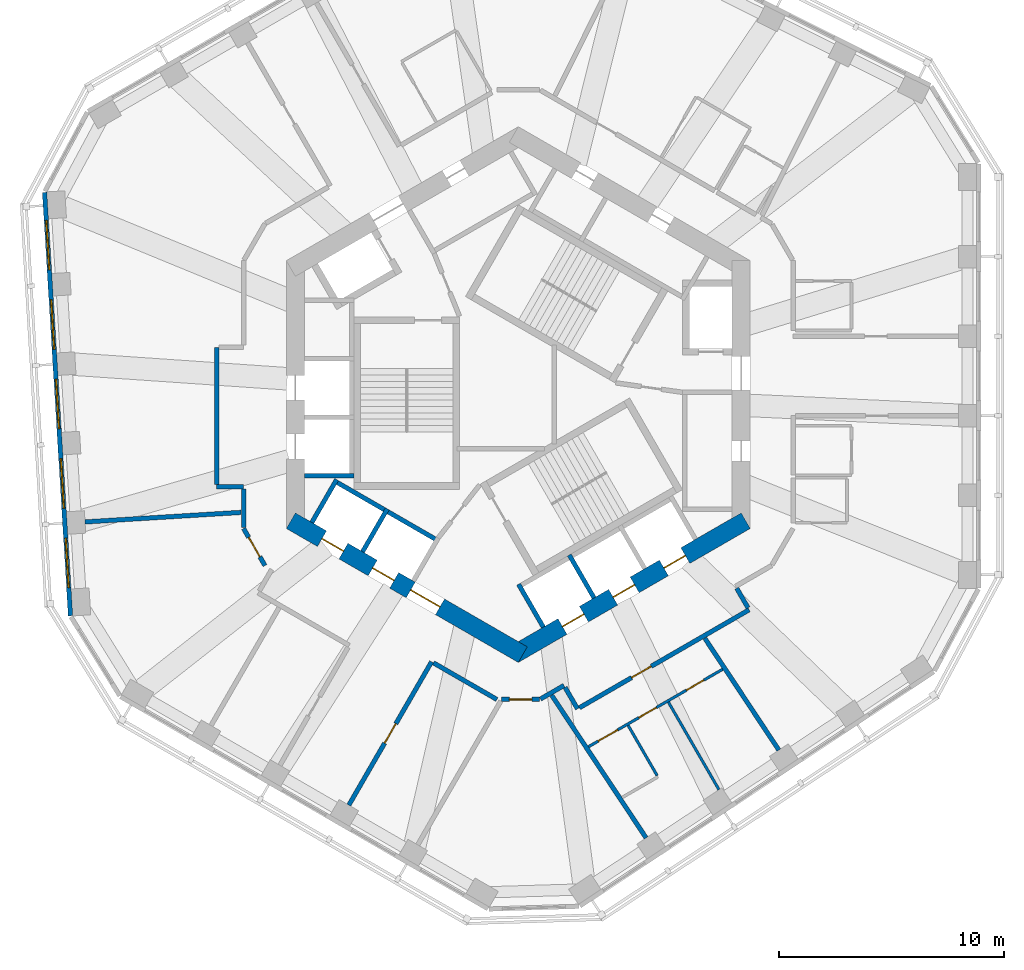
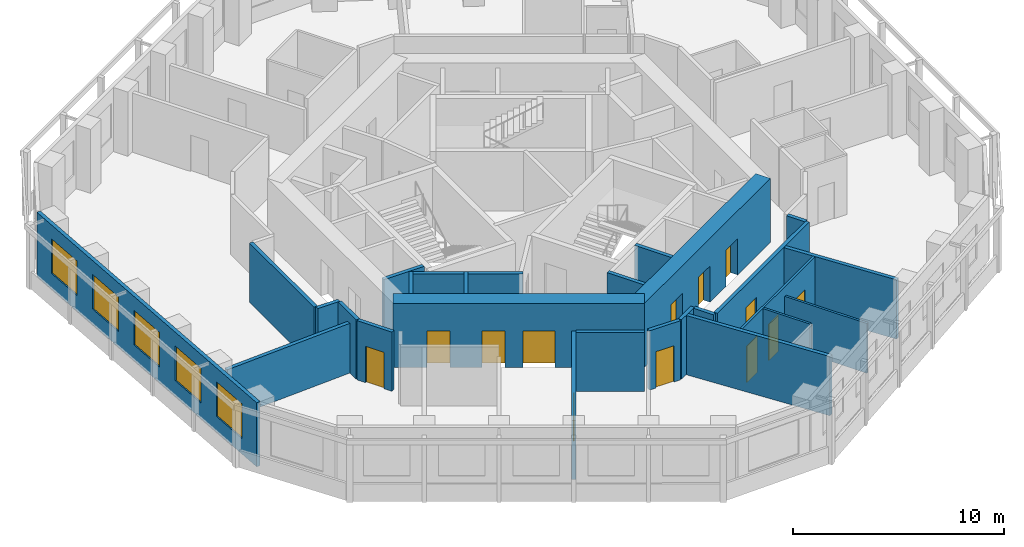
# One storey, part 4 of 11: 26 walls, 13 doors, 5 windows, 18 openings.
"""IFC4 building model written with IfcOpenShell, lengths in metres."""

from ifc_helpers import new_model, si_unit, direction, frame, frame_2d, origin, place, context, subcontext, project, spatial, rectangle, extrude, material, layer, layer_set, type_object, element, fill, save


model = new_model("IFC4")

# Units and contexts
model_context = context("Model", 3, precision=1e-05, world=origin(), true_north=direction((0.0, 1.0)))
body_context = subcontext(model_context, "Body", "Model", "MODEL_VIEW")
ifc_project = project(units=[si_unit("LENGTHUNIT", "METRE"), si_unit("AREAUNIT", "SQUARE_METRE"), si_unit("VOLUMEUNIT", "CUBIC_METRE"), si_unit("PLANEANGLEUNIT", "RADIAN"), si_unit("MASSUNIT", "GRAM", prefix="KILO")], contexts=[model_context])

# Site, building, storey
site_placement = place(None, origin())
site = spatial("IfcSite", under=ifc_project, at=site_placement, CompositionType="ELEMENT")
building_placement = place(site_placement, origin())
building = spatial("IfcBuilding", under=site, at=building_placement, Name="Vanh Sen Convention Tower", CompositionType="ELEMENT")
storey_placement = place(building_placement, frame((0.0, 0.0, 221.699951171875)))
storey = spatial("IfcBuildingStorey", under=building, at=storey_placement, Name="L54", CompositionType="ELEMENT", Elevation=221.699951171875)

# Wall, openings, doors
ifc_material_1 = material(Name="Moisture-resistant gypsum board on steel studs", Category="steel")
ifc_layer_1 = layer(ifc_material_1, 0.1201171875)
ifc_layer_set_1 = layer_set([ifc_layer_1], Name="Moisture-resistant gypsum board on steel studs")
wall_type_1 = type_object("IfcWallType", Name="Bathroom partition 120", PredefinedType="PARTITIONING", material=ifc_layer_set_1)
wall_1_placement = place(storey_placement, frame((3.11669921875, -15.6376953125, 0.0), z_axis=(0.0, 0.0, 1.0), x_axis=(0.866031365477, 0.499989673903, 0.0)))
wall_1 = element("IfcWall", 1, at=wall_1_placement, inside=storey, type_object=wall_type_1, Name="Bathroom partition 120", PredefinedType="PARTITIONING", context=body_context, shape_type="SweptSolid", body=[
    extrude(rectangle(XDim=6.880615234375, YDim=0.1201171875, at=frame_2d((3.4404296875, 0.0))), origin(), (0.0, 0.0, 1.0), 3.420166015625),
])
opening_1_placement = place(wall_1_placement, frame((0.5, 0.0, 0.0)))
opening_1 = element("IfcOpeningElement", 2, at=opening_1_placement, cuts=wall_1, Name="Opening D52114", PredefinedType="OPENING", context=body_context, shape_type="SweptSolid", body=[
    extrude(rectangle(XDim=1.0, YDim=2.10009765625, at=frame_2d((0.5, 1.050048828125))), frame((0.0, 0.070068359375, 0.0), z_axis=(0.0, -1.0, 0.0), x_axis=(1.0, 0.0, 0.0)), (0.0, 0.0, 1.0), 0.14013671875),
])
opening_2_placement = place(wall_1_placement, frame((2.58251953125, 0.0, 0.0)))
opening_2 = element("IfcOpeningElement", 3, at=opening_2_placement, cuts=wall_1, Name="Opening D52115", PredefinedType="OPENING", context=body_context, shape_type="SweptSolid", body=[
    extrude(rectangle(XDim=0.89990234375, YDim=2.10009765625, at=frame_2d((0.449951171875, 1.050048828125))), frame((0.0, 0.070068359375, 0.0), z_axis=(0.0, -1.0, 0.0), x_axis=(1.0, 0.0, 0.0)), (0.0, 0.0, 1.0), 0.14013671875),
])
opening_3_placement = place(wall_1_placement, frame((5.022705078125, 0.0, 0.0)))
opening_3 = element("IfcOpeningElement", 4, at=opening_3_placement, cuts=wall_1, Name="Opening D52116", PredefinedType="OPENING", context=body_context, shape_type="SweptSolid", body=[
    extrude(rectangle(XDim=0.89990234375, YDim=2.10009765625, at=frame_2d((0.449951171875, 1.050048828125))), frame((0.0, 0.070068359375, 0.0), z_axis=(0.0, -1.0, 0.0), x_axis=(1.0, 0.0, 0.0)), (0.0, 0.0, 1.0), 0.14013671875),
])
ifc_material_2 = material(Name="Laminate door in steel frame", Category="steel")
door_type_1 = type_object("IfcDoorType", Name="Accessible WC door 1000", OperationType="SINGLE_SWING_LEFT", PredefinedType="DOOR", material=ifc_material_2)
door_1_placement = place(opening_1_placement, origin())
door_1 = element("IfcDoor", 5, at=door_1_placement, inside=storey, type_object=door_type_1, Name="Accessible WC door D52114", OperationType="SINGLE_SWING_LEFT", OverallHeight=2.10009765625, OverallWidth=1.0, PredefinedType="DOOR", context=body_context, shape_type="SweptSolid", body=[
    extrude(rectangle(XDim=1.0, YDim=2.10009765625, at=frame_2d((0.5, 1.050048828125))), frame((0.0, 0.02490234375, 0.0), z_axis=(0.0, -1.0, 0.0), x_axis=(1.0, 0.0, 0.0)), (0.0, 0.0, 1.0), 0.050048828125),
])
fill(opening_1, door_1)
door_type_2 = type_object("IfcDoorType", Name="Room internal door 900", OperationType="SINGLE_SWING_LEFT", PredefinedType="DOOR", material=ifc_material_2)
door_2_placement = place(opening_2_placement, origin())
door_2 = element("IfcDoor", 6, at=door_2_placement, inside=storey, type_object=door_type_2, Name="Internal room door D52115", OperationType="SINGLE_SWING_LEFT", OverallHeight=2.10009765625, OverallWidth=0.89990234375, PredefinedType="DOOR", context=body_context, shape_type="SweptSolid", body=[
    extrude(rectangle(XDim=0.89990234375, YDim=2.10009765625, at=frame_2d((0.449951171875, 1.050048828125))), frame((0.0, 0.02490234375, 0.0), z_axis=(0.0, -1.0, 0.0), x_axis=(1.0, 0.0, 0.0)), (0.0, 0.0, 1.0), 0.050048828125),
])
fill(opening_2, door_2)
door_3_placement = place(opening_3_placement, origin())
door_3 = element("IfcDoor", 7, at=door_3_placement, inside=storey, type_object=door_type_2, Name="Internal room door D52116", OperationType="SINGLE_SWING_LEFT", OverallHeight=2.10009765625, OverallWidth=0.89990234375, PredefinedType="DOOR", context=body_context, shape_type="SweptSolid", body=[
    extrude(rectangle(XDim=0.89990234375, YDim=2.10009765625, at=frame_2d((0.449951171875, 1.050048828125))), frame((0.0, 0.02490234375, 0.0), z_axis=(0.0, -1.0, 0.0), x_axis=(1.0, 0.0, 0.0)), (0.0, 0.0, 1.0), 0.050048828125),
])
fill(opening_3, door_3)

# Walls
wall_2_placement = place(storey_placement, frame((6.1689453125, -16.923828125, 0.0), z_axis=(0.0, 0.0, 1.0), x_axis=(-0.500047388771, 0.865998042136, 0.0)))
element("IfcWall", 8, at=wall_2_placement, inside=storey, type_object=wall_type_1, Name="Bathroom partition 120", PredefinedType="PARTITIONING", context=body_context, shape_type="SweptSolid", body=[
    extrude(rectangle(XDim=2.579833984375, YDim=0.1201171875, at=frame_2d((1.2900390625, 0.0))), origin(), (0.0, 0.0, 1.0), 3.420166015625),
])
wall_3_placement = place(storey_placement, frame((8.912353515625, -17.54541015625, 0.0), z_axis=(0.0, 0.0, 1.0), x_axis=(-0.500022113525, 0.866012636158, 0.0)))
element("IfcWall", 9, at=wall_3_placement, inside=storey, type_object=wall_type_1, Name="Bathroom partition 120", PredefinedType="PARTITIONING", context=body_context, shape_type="SweptSolid", body=[
    extrude(rectangle(XDim=4.489990234375, YDim=0.1201171875, at=frame_2d((2.2451171875, 0.0))), origin(), (0.0, 0.0, 1.0), 2.8701171875),
])

# Wall, openings, doors
ifc_material_3 = material(Name="Concrete C60/75", Category="concrete")
ifc_layer_2 = layer(ifc_material_3, 0.800048828125)
ifc_layer_set_2 = layer_set([ifc_layer_2], Name="Concrete C60/75")
wall_type_2 = type_object("IfcWallType", Name="Core outer wall 800 C60/75", PredefinedType="SHEAR", material=ifc_layer_set_2)
wall_4_placement = place(storey_placement, frame((-10.10009765625, -5.600341796875, 0.0), z_axis=(0.0, 0.0, 1.0), x_axis=(0.866023897231, -0.500002609418, 0.0)))
wall_4 = element("IfcWall", 10, at=wall_4_placement, inside=storey, type_object=wall_type_2, Name="Core wall face SW L54", PredefinedType="SHEAR", context=body_context, shape_type="SweptSolid", body=[
    extrude(rectangle(XDim=11.8935546875, YDim=0.800048828125, at=frame_2d((5.94677734375, 0.0))), origin(), (0.0, 0.0, 1.0), 3.699951171875),
])
opening_4_placement = place(wall_4_placement, frame((6.146728515625, 0.0, 0.0)))
opening_4 = element("IfcOpeningElement", 11, at=opening_4_placement, cuts=wall_4, Name="Opening D52003", PredefinedType="OPENING", context=body_context, shape_type="SweptSolid", body=[
    extrude(rectangle(XDim=1.5, YDim=2.10009765625, at=frame_2d((0.75, 1.050048828125))), frame((0.0, 0.409912109375, 0.0), z_axis=(0.0, -1.0, 0.0), x_axis=(1.0, 0.0, 0.0)), (0.0, 0.0, 1.0), 0.820068359375),
])
opening_5_placement = place(wall_4_placement, frame((1.5966796875, 0.0, 0.0)))
opening_5 = element("IfcOpeningElement", 12, at=opening_5_placement, cuts=wall_4, Name="Opening LD-HR3", PredefinedType="OPENING", context=body_context, shape_type="SweptSolid", body=[
    extrude(rectangle(XDim=1.10009765625, YDim=2.10009765625, at=frame_2d((0.550048828125, 1.050048828125))), frame((0.0, 0.409912109375, 0.0), z_axis=(0.0, -1.0, 0.0), x_axis=(1.0, 0.0, 0.0)), (0.0, 0.0, 1.0), 0.820068359375),
])
opening_6_placement = place(wall_4_placement, frame((4.19677734375, 0.0, 0.0)))
opening_6 = element("IfcOpeningElement", 13, at=opening_6_placement, cuts=wall_4, Name="Opening LD-HR4", PredefinedType="OPENING", context=body_context, shape_type="SweptSolid", body=[
    extrude(rectangle(XDim=1.10009765625, YDim=2.10009765625, at=frame_2d((0.550048828125, 1.050048828125))), frame((0.0, 0.409912109375, 0.0), z_axis=(0.0, -1.0, 0.0), x_axis=(1.0, 0.0, 0.0)), (0.0, 0.0, 1.0), 0.820068359375),
])
ifc_material_4 = material(Name="Stainless steel", Category="steel")
door_type_3 = type_object("IfcDoorType", Name="Lift landing door 1100", OperationType="DOUBLE_DOOR_SLIDING", PredefinedType="DOOR", material=ifc_material_4)
door_4_placement = place(opening_5_placement, origin())
door_4 = element("IfcDoor", 14, at=door_4_placement, inside=storey, type_object=door_type_3, Name="Lift HR3 landing door LD-HR3", OperationType="DOUBLE_DOOR_SLIDING", OverallHeight=2.10009765625, OverallWidth=1.10009765625, PredefinedType="DOOR", context=body_context, shape_type="SweptSolid", body=[
    extrude(rectangle(XDim=1.10009765625, YDim=2.10009765625, at=frame_2d((0.550048828125, 1.050048828125))), frame((0.0, 0.02490234375, 0.0), z_axis=(0.0, -1.0, 0.0), x_axis=(1.0, 0.0, 0.0)), (0.0, 0.0, 1.0), 0.050048828125),
])
fill(opening_5, door_4)
door_5_placement = place(opening_6_placement, origin())
door_5 = element("IfcDoor", 15, at=door_5_placement, inside=storey, type_object=door_type_3, Name="Lift HR4 landing door LD-HR4", OperationType="DOUBLE_DOOR_SLIDING", OverallHeight=2.10009765625, OverallWidth=1.10009765625, PredefinedType="DOOR", context=body_context, shape_type="SweptSolid", body=[
    extrude(rectangle(XDim=1.10009765625, YDim=2.10009765625, at=frame_2d((0.550048828125, 1.050048828125))), frame((0.0, 0.02490234375, 0.0), z_axis=(0.0, -1.0, 0.0), x_axis=(1.0, 0.0, 0.0)), (0.0, 0.0, 1.0), 0.050048828125),
])
fill(opening_6, door_5)
ifc_material_5 = material(Name="Steel S355", Category="steel")
door_type_4 = type_object("IfcDoorType", Name="Stair lobby door 1500", OperationType="DOUBLE_DOOR_SINGLE_SWING", PredefinedType="DOOR", material=ifc_material_5)
door_6_placement = place(opening_4_placement, origin())
door_6 = element("IfcDoor", 16, at=door_6_placement, inside=storey, type_object=door_type_4, Name="Stair lobby door D52003", OperationType="DOUBLE_DOOR_SINGLE_SWING", OverallHeight=2.10009765625, OverallWidth=1.5, PredefinedType="DOOR", context=body_context, shape_type="SweptSolid", body=[
    extrude(rectangle(XDim=1.5, YDim=2.10009765625, at=frame_2d((0.75, 1.050048828125))), frame((0.0, 0.02490234375, 0.0), z_axis=(0.0, -1.0, 0.0), x_axis=(1.0, 0.0, 0.0)), (0.0, 0.0, 1.0), 0.050048828125),
])
fill(opening_4, door_6)

wall_5_placement = place(storey_placement, frame((-0.199951171875, -11.547119140625, 0.0), z_axis=(0.0, 0.0, 1.0), x_axis=(0.866023897231, 0.500002609418, 0.0)))
wall_5 = element("IfcWall", 17, at=wall_5_placement, inside=storey, type_object=wall_type_2, Name="Core wall face SE L54", PredefinedType="SHEAR", context=body_context, shape_type="SweptSolid", body=[
    extrude(rectangle(XDim=11.8935546875, YDim=0.800048828125, at=frame_2d((5.94677734375, 0.0))), origin(), (0.0, 0.0, 1.0), 3.699951171875),
])
opening_7_placement = place(wall_5_placement, frame((2.49658203125, 0.0, 0.0)))
opening_7 = element("IfcOpeningElement", 18, at=opening_7_placement, cuts=wall_5, Name="Opening LD-HR5", PredefinedType="OPENING", context=body_context, shape_type="SweptSolid", body=[
    extrude(rectangle(XDim=1.10009765625, YDim=2.10009765625, at=frame_2d((0.550048828125, 1.050048828125))), frame((0.0, 0.409912109375, 0.0), z_axis=(0.0, -1.0, 0.0), x_axis=(1.0, 0.0, 0.0)), (0.0, 0.0, 1.0), 0.820068359375),
])
opening_8_placement = place(wall_5_placement, frame((5.0966796875, 0.0, 0.0)))
opening_8 = element("IfcOpeningElement", 19, at=opening_8_placement, cuts=wall_5, Name="Opening LD-HR6", PredefinedType="OPENING", context=body_context, shape_type="SweptSolid", body=[
    extrude(rectangle(XDim=1.10009765625, YDim=2.10009765625, at=frame_2d((0.550048828125, 1.050048828125))), frame((0.0, 0.409912109375, 0.0), z_axis=(0.0, -1.0, 0.0), x_axis=(1.0, 0.0, 0.0)), (0.0, 0.0, 1.0), 0.820068359375),
])
opening_9_placement = place(wall_5_placement, frame((7.69677734375, 0.0, 0.0)))
opening_9 = element("IfcOpeningElement", 20, at=opening_9_placement, cuts=wall_5, Name="Opening LD-SV1", PredefinedType="OPENING", context=body_context, shape_type="SweptSolid", body=[
    extrude(rectangle(XDim=1.10009765625, YDim=2.10009765625, at=frame_2d((0.550048828125, 1.050048828125))), frame((0.0, 0.409912109375, 0.0), z_axis=(0.0, -1.0, 0.0), x_axis=(1.0, 0.0, 0.0)), (0.0, 0.0, 1.0), 0.820068359375),
])
door_7_placement = place(opening_7_placement, origin())
door_7 = element("IfcDoor", 21, at=door_7_placement, inside=storey, type_object=door_type_3, Name="Lift HR5 landing door LD-HR5", OperationType="DOUBLE_DOOR_SLIDING", OverallHeight=2.10009765625, OverallWidth=1.10009765625, PredefinedType="DOOR", context=body_context, shape_type="SweptSolid", body=[
    extrude(rectangle(XDim=1.10009765625, YDim=2.10009765625, at=frame_2d((0.550048828125, 1.050048828125))), frame((0.0, 0.02490234375, 0.0), z_axis=(0.0, -1.0, 0.0), x_axis=(1.0, 0.0, 0.0)), (0.0, 0.0, 1.0), 0.050048828125),
])
fill(opening_7, door_7)
door_8_placement = place(opening_8_placement, origin())
door_8 = element("IfcDoor", 22, at=door_8_placement, inside=storey, type_object=door_type_3, Name="Lift HR6 landing door LD-HR6", OperationType="DOUBLE_DOOR_SLIDING", OverallHeight=2.10009765625, OverallWidth=1.10009765625, PredefinedType="DOOR", context=body_context, shape_type="SweptSolid", body=[
    extrude(rectangle(XDim=1.10009765625, YDim=2.10009765625, at=frame_2d((0.550048828125, 1.050048828125))), frame((0.0, 0.02490234375, 0.0), z_axis=(0.0, -1.0, 0.0), x_axis=(1.0, 0.0, 0.0)), (0.0, 0.0, 1.0), 0.050048828125),
])
fill(opening_8, door_8)
door_9_placement = place(opening_9_placement, origin())
door_9 = element("IfcDoor", 23, at=door_9_placement, inside=storey, type_object=door_type_3, Name="Lift SV1 landing door LD-SV1", OperationType="DOUBLE_DOOR_SLIDING", OverallHeight=2.10009765625, OverallWidth=1.10009765625, PredefinedType="DOOR", context=body_context, shape_type="SweptSolid", body=[
    extrude(rectangle(XDim=1.10009765625, YDim=2.10009765625, at=frame_2d((0.550048828125, 1.050048828125))), frame((0.0, 0.02490234375, 0.0), z_axis=(0.0, -1.0, 0.0), x_axis=(1.0, 0.0, 0.0)), (0.0, 0.0, 1.0), 0.050048828125),
])
fill(opening_9, door_9)

# Walls
ifc_material_6 = material(Name="Gypsum board on steel studs with mineral wool", Category="steel")
ifc_layer_3 = layer(ifc_material_6, 0.199951171875)
ifc_layer_set_3 = layer_set([ifc_layer_3], Name="Gypsum board on steel studs with mineral wool")
wall_type_3 = type_object("IfcWallType", Name="Corridor partition wall 200", PredefinedType="PARTITIONING", material=ifc_layer_set_3)
wall_6_placement = place(storey_placement, frame((-13.40087890625, -4.10107421875, 0.0), z_axis=(0.0, 0.0, 1.0), x_axis=(1.0, 0.0, 0.0)))
element("IfcWall", 24, at=wall_6_placement, inside=storey, type_object=wall_type_3, Name="Corridor partition wall 200", PredefinedType="PARTITIONING", context=body_context, shape_type="SweptSolid", body=[
    extrude(rectangle(XDim=1.200927734375, YDim=0.199951171875, at=frame_2d((0.6005859375, 0.0))), origin(), (0.0, 0.0, 1.0), 3.420166015625),
])
wall_7_placement = place(storey_placement, frame((-13.40087890625, 2.10107421875, 0.0), z_axis=(0.0, 0.0, 1.0), x_axis=(0.0, -1.0, 0.0)))
element("IfcWall", 25, at=wall_7_placement, inside=storey, type_object=wall_type_3, Name="Corridor partition wall 200", PredefinedType="PARTITIONING", context=body_context, shape_type="SweptSolid", body=[
    extrude(rectangle(XDim=6.10205078125, YDim=0.199951171875, at=frame_2d((3.051025390625, 0.0))), origin(), (0.0, 0.0, 1.0), 3.420166015625),
])

# Wall, opening, door
wall_8_placement = place(storey_placement, frame((-12.199951171875, -5.94677734375, 0.0), z_axis=(0.0, 0.0, 1.0), x_axis=(0.500022797313, -0.86601224135, 0.0)))
wall_8 = element("IfcWall", 26, at=wall_8_placement, inside=storey, type_object=wall_type_3, Name="Corridor partition wall 200", PredefinedType="PARTITIONING", context=body_context, shape_type="SweptSolid", body=[
    extrude(rectangle(XDim=1.89990234375, YDim=0.199951171875, at=frame_2d((0.949951171875, 0.0))), origin(), (0.0, 0.0, 1.0), 3.420166015625),
])
opening_10_placement = place(wall_8_placement, frame((0.449951171875, 0.0, 0.0)))
opening_10 = element("IfcOpeningElement", 27, at=opening_10_placement, cuts=wall_8, Name="Opening D52109", PredefinedType="OPENING", context=body_context, shape_type="SweptSolid", body=[
    extrude(rectangle(XDim=1.0, YDim=2.10009765625, at=frame_2d((0.5, 1.050048828125))), frame((0.0, 0.10986328125, 0.0), z_axis=(0.0, -1.0, 0.0), x_axis=(1.0, 0.0, 0.0)), (0.0, 0.0, 1.0), 0.219970703125),
])
ifc_material_7 = material(Name="Timber fire door in steel frame", Category="steel")
door_type_5 = type_object("IfcDoorType", Name="Floor room door 1000", OperationType="SINGLE_SWING_LEFT", PredefinedType="DOOR", material=ifc_material_7)
door_10_placement = place(opening_10_placement, origin())
door_10 = element("IfcDoor", 28, at=door_10_placement, inside=storey, type_object=door_type_5, Name="Meeting and amenity room door D52109", OperationType="SINGLE_SWING_LEFT", OverallHeight=2.10009765625, OverallWidth=1.0, PredefinedType="DOOR", context=body_context, shape_type="SweptSolid", body=[
    extrude(rectangle(XDim=1.0, YDim=2.10009765625, at=frame_2d((0.5, 1.050048828125))), frame((0.0, 0.02490234375, 0.0), z_axis=(0.0, -1.0, 0.0), x_axis=(1.0, 0.0, 0.0)), (0.0, 0.0, 1.0), 0.050048828125),
])
fill(opening_10, door_10)

# Wall
wall_9_placement = place(storey_placement, frame((-12.199951171875, -4.200927734375, 0.0), z_axis=(0.0, 0.0, 1.0), x_axis=(0.0, -1.0, 0.0)))
element("IfcWall", 29, at=wall_9_placement, inside=storey, type_object=wall_type_3, Name="Corridor partition wall 200", PredefinedType="PARTITIONING", context=body_context, shape_type="SweptSolid", body=[
    extrude(rectangle(XDim=1.705810546875, YDim=0.199951171875, at=frame_2d((0.85302734375, 0.0))), origin(), (0.0, 0.0, 1.0), 3.420166015625),
])

# Wall, opening, door
wall_10_placement = place(storey_placement, frame((-7.52490234375, -18.229736328125, 0.0), z_axis=(0.0, 0.0, 1.0), x_axis=(0.499983153418, 0.866035129944, 0.0)))
wall_10 = element("IfcWall", 30, at=wall_10_placement, inside=storey, type_object=wall_type_3, Name="Corridor partition wall 200", PredefinedType="PARTITIONING", context=body_context, shape_type="SweptSolid", body=[
    extrude(rectangle(XDim=7.349853515625, YDim=0.199951171875, at=frame_2d((3.6748046875, 0.0))), origin(), (0.0, 0.0, 1.0), 3.420166015625),
])
opening_11_placement = place(wall_10_placement, frame((3.175048828125, 0.0, 0.0)))
opening_11 = element("IfcOpeningElement", 31, at=opening_11_placement, cuts=wall_10, Name="Opening D52111", PredefinedType="OPENING", context=body_context, shape_type="SweptSolid", body=[
    extrude(rectangle(XDim=1.0, YDim=2.10009765625, at=frame_2d((0.5, 1.050048828125))), frame((0.0, 0.10986328125, 0.0), z_axis=(0.0, -1.0, 0.0), x_axis=(1.0, 0.0, 0.0)), (0.0, 0.0, 1.0), 0.219970703125),
])
ifc_material_8 = material(Name="Glazed fire door in steel frame", Category="steel")
door_type_6 = type_object("IfcDoorType", Name="Tenant entrance door 1000", OperationType="SINGLE_SWING_LEFT", PredefinedType="DOOR", material=ifc_material_8)
door_11_placement = place(opening_11_placement, origin())
door_11 = element("IfcDoor", 32, at=door_11_placement, inside=storey, type_object=door_type_6, Name="Tenant suite entrance door D52111", OperationType="SINGLE_SWING_LEFT", OverallHeight=2.10009765625, OverallWidth=1.0, PredefinedType="DOOR", context=body_context, shape_type="SweptSolid", body=[
    extrude(rectangle(XDim=1.0, YDim=2.10009765625, at=frame_2d((0.5, 1.050048828125))), frame((0.0, 0.02490234375, 0.0), z_axis=(0.0, -1.0, 0.0), x_axis=(1.0, 0.0, 0.0)), (0.0, 0.0, 1.0), 0.050048828125),
])
fill(opening_11, door_11)

# Wall
wall_11_placement = place(storey_placement, frame((-3.763427734375, -11.91455078125, 0.0), z_axis=(0.0, 0.0, 1.0), x_axis=(0.866037915695, -0.499978328108, 0.0)))
element("IfcWall", 33, at=wall_11_placement, inside=storey, type_object=wall_type_3, Name="Corridor partition wall 200", PredefinedType="PARTITIONING", context=body_context, shape_type="SweptSolid", body=[
    extrude(rectangle(XDim=3.248779296875, YDim=0.199951171875, at=frame_2d((1.62451171875, 0.0))), origin(), (0.0, 0.0, 1.0), 3.420166015625),
])

# Wall, opening, door
wall_12_placement = place(storey_placement, frame((-0.736328125, -13.538818359375, 0.0), z_axis=(0.0, 0.0, 1.0), x_axis=(1.0, 0.0, 0.0)))
wall_12 = element("IfcWall", 34, at=wall_12_placement, inside=storey, type_object=wall_type_3, Name="Corridor partition wall 200", PredefinedType="PARTITIONING", context=body_context, shape_type="SweptSolid", body=[
    extrude(rectangle(XDim=1.686279296875, YDim=0.199951171875, at=frame_2d((0.84326171875, 0.0))), origin(), (0.0, 0.0, 1.0), 3.420166015625),
])
opening_12_placement = place(wall_12_placement, frame((0.34326171875, 0.0, 0.0)))
opening_12 = element("IfcOpeningElement", 35, at=opening_12_placement, cuts=wall_12, Name="Opening D52112", PredefinedType="OPENING", context=body_context, shape_type="SweptSolid", body=[
    extrude(rectangle(XDim=1.0, YDim=2.10009765625, at=frame_2d((0.5, 1.050048828125))), frame((0.0, 0.10986328125, 0.0), z_axis=(0.0, -1.0, 0.0), x_axis=(1.0, 0.0, 0.0)), (0.0, 0.0, 1.0), 0.219970703125),
])
door_12_placement = place(opening_12_placement, origin())
door_12 = element("IfcDoor", 36, at=door_12_placement, inside=storey, type_object=door_type_5, Name="Meeting and amenity room door D52112", OperationType="SINGLE_SWING_LEFT", OverallHeight=2.10009765625, OverallWidth=1.0, PredefinedType="DOOR", context=body_context, shape_type="SweptSolid", body=[
    extrude(rectangle(XDim=1.0, YDim=2.10009765625, at=frame_2d((0.5, 1.050048828125))), frame((0.0, 0.02490234375, 0.0), z_axis=(0.0, -1.0, 0.0), x_axis=(1.0, 0.0, 0.0)), (0.0, 0.0, 1.0), 0.050048828125),
])
fill(opening_12, door_12)

# Walls
wall_13_placement = place(storey_placement, frame((0.984619140625, -13.518798828125, 0.0), z_axis=(0.0, 0.0, 1.0), x_axis=(0.866054082991, 0.499950322867, 0.0)))
element("IfcWall", 37, at=wall_13_placement, inside=storey, type_object=wall_type_3, Name="Corridor partition wall 200", PredefinedType="PARTITIONING", context=body_context, shape_type="SweptSolid", body=[
    extrude(rectangle(XDim=1.20556640625, YDim=0.199951171875, at=frame_2d((0.602783203125, 0.0))), origin(), (0.0, 0.0, 1.0), 3.420166015625),
])
wall_14_placement = place(storey_placement, frame((2.078857421875, -13.002685546875, 0.0), z_axis=(0.0, 0.0, 1.0), x_axis=(0.500074377092, -0.865982457891, 0.0)))
element("IfcWall", 38, at=wall_14_placement, inside=storey, type_object=wall_type_3, Name="Corridor partition wall 200", PredefinedType="PARTITIONING", context=body_context, shape_type="SweptSolid", body=[
    extrude(rectangle(XDim=1.100830078125, YDim=0.199951171875, at=frame_2d((0.55029296875, 0.0))), origin(), (0.0, 0.0, 1.0), 3.420166015625),
])

# Wall, opening, door
wall_15_placement = place(storey_placement, frame((2.7158203125, -13.906005859375, 0.0), z_axis=(0.0, 0.0, 1.0), x_axis=(0.866040290674, 0.499974214264, 0.0)))
wall_15 = element("IfcWall", 39, at=wall_15_placement, inside=storey, type_object=wall_type_3, Name="Corridor partition wall 200", PredefinedType="PARTITIONING", context=body_context, shape_type="SweptSolid", body=[
    extrude(rectangle(XDim=8.7021484375, YDim=0.199951171875, at=frame_2d((4.35107421875, 0.0))), origin(), (0.0, 0.0, 1.0), 3.420166015625),
])
opening_13_placement = place(wall_15_placement, frame((2.678955078125, 0.0, 0.0)))
opening_13 = element("IfcOpeningElement", 40, at=opening_13_placement, cuts=wall_15, Name="Opening D52113", PredefinedType="OPENING", context=body_context, shape_type="SweptSolid", body=[
    extrude(rectangle(XDim=1.0, YDim=2.10009765625, at=frame_2d((0.5, 1.050048828125))), frame((0.0, 0.10986328125, 0.0), z_axis=(0.0, -1.0, 0.0), x_axis=(1.0, 0.0, 0.0)), (0.0, 0.0, 1.0), 0.219970703125),
])
door_13_placement = place(opening_13_placement, origin())
door_13 = element("IfcDoor", 41, at=door_13_placement, inside=storey, type_object=door_type_5, Name="Meeting and amenity room door D52113", OperationType="SINGLE_SWING_LEFT", OverallHeight=2.10009765625, OverallWidth=1.0, PredefinedType="DOOR", context=body_context, shape_type="SweptSolid", body=[
    extrude(rectangle(XDim=1.0, YDim=2.10009765625, at=frame_2d((0.5, 1.050048828125))), frame((0.0, 0.02490234375, 0.0), z_axis=(0.0, -1.0, 0.0), x_axis=(1.0, 0.0, 0.0)), (0.0, 0.0, 1.0), 0.050048828125),
])
fill(opening_13, door_13)

# Wall
wall_16_placement = place(storey_placement, frame((10.2021484375, -9.468505859375, 0.0), z_axis=(0.0, 0.0, 1.0), x_axis=(-0.499968756647, 0.866043441391, 0.0)))
element("IfcWall", 42, at=wall_16_placement, inside=storey, type_object=wall_type_3, Name="Corridor partition wall 200", PredefinedType="PARTITIONING", context=body_context, shape_type="SweptSolid", body=[
    extrude(rectangle(XDim=1.0009765625, YDim=0.199951171875, at=frame_2d((0.50048828125, 0.0))), origin(), (0.0, 0.0, 1.0), 3.420166015625),
])

# Wall, openings, windows
ifc_material_9 = material(Name="Insulated lightweight infill wall")
ifc_layer_4 = layer(ifc_material_9, 0.199951171875)
ifc_layer_set_4 = layer_set([ifc_layer_4], Name="Insulated lightweight infill wall")
wall_type_4 = type_object("IfcWallType", Name="External wall 200", PredefinedType="STANDARD", material=ifc_layer_set_4)
wall_17_placement = place(storey_placement, frame((-21.03759765625, 8.983642578125, 0.0), z_axis=(0.0, 0.0, 1.0), x_axis=(0.061043935634, -0.998135079998, 0.0)))
wall_17 = element("IfcWall", 43, at=wall_17_placement, inside=storey, type_object=wall_type_4, Name="External wall W L54", PredefinedType="STANDARD", context=body_context, shape_type="SweptSolid", body=[
    extrude(rectangle(XDim=18.84130859375, YDim=0.199951171875, at=frame_2d((9.420654296875, 0.0))), origin(), (0.0, 0.0, 1.0), 3.699951171875),
])
opening_14_placement = place(wall_17_placement, frame((1.252685546875, 0.0, 0.89990234375)))
opening_14 = element("IfcOpeningElement", 44, at=opening_14_placement, cuts=wall_17, Name="Opening WO3-W1", PredefinedType="OPENING", context=body_context, shape_type="SweptSolid", body=[
    extrude(rectangle(XDim=2.199951171875, YDim=2.0, at=frame_2d((1.10009765625, 1.0))), frame((0.0, 0.10986328125, 0.0), z_axis=(0.0, -1.0, 0.0), x_axis=(1.0, 0.0, 0.0)), (0.0, 0.0, 1.0), 0.219970703125),
])
opening_15_placement = place(wall_17_placement, frame((4.7861328125, 0.0, 0.89990234375)))
opening_15 = element("IfcOpeningElement", 45, at=opening_15_placement, cuts=wall_17, Name="Opening WO3-W2", PredefinedType="OPENING", context=body_context, shape_type="SweptSolid", body=[
    extrude(rectangle(XDim=2.199951171875, YDim=2.0, at=frame_2d((1.10009765625, 1.0))), frame((0.0, 0.10986328125, 0.0), z_axis=(0.0, -1.0, 0.0), x_axis=(1.0, 0.0, 0.0)), (0.0, 0.0, 1.0), 0.219970703125),
])
opening_16_placement = place(wall_17_placement, frame((8.31982421875, 0.0, 0.89990234375)))
opening_16 = element("IfcOpeningElement", 46, at=opening_16_placement, cuts=wall_17, Name="Opening WO3-W3", PredefinedType="OPENING", context=body_context, shape_type="SweptSolid", body=[
    extrude(rectangle(XDim=2.199951171875, YDim=2.0, at=frame_2d((1.10009765625, 1.0))), frame((0.0, 0.10986328125, 0.0), z_axis=(0.0, -1.0, 0.0), x_axis=(1.0, 0.0, 0.0)), (0.0, 0.0, 1.0), 0.219970703125),
])
opening_17_placement = place(wall_17_placement, frame((11.853515625, 0.0, 0.89990234375)))
opening_17 = element("IfcOpeningElement", 47, at=opening_17_placement, cuts=wall_17, Name="Opening WO3-W4", PredefinedType="OPENING", context=body_context, shape_type="SweptSolid", body=[
    extrude(rectangle(XDim=2.199951171875, YDim=2.0, at=frame_2d((1.10009765625, 1.0))), frame((0.0, 0.10986328125, 0.0), z_axis=(0.0, -1.0, 0.0), x_axis=(1.0, 0.0, 0.0)), (0.0, 0.0, 1.0), 0.219970703125),
])
opening_18_placement = place(wall_17_placement, frame((15.38720703125, 0.0, 0.89990234375)))
opening_18 = element("IfcOpeningElement", 48, at=opening_18_placement, cuts=wall_17, Name="Opening WO3-W5", PredefinedType="OPENING", context=body_context, shape_type="SweptSolid", body=[
    extrude(rectangle(XDim=2.199951171875, YDim=2.0, at=frame_2d((1.10009765625, 1.0))), frame((0.0, 0.10986328125, 0.0), z_axis=(0.0, -1.0, 0.0), x_axis=(1.0, 0.0, 0.0)), (0.0, 0.0, 1.0), 0.219970703125),
])
ifc_material_10 = material(Name="Aluminium frame with clear low-emissivity glass", Category="aluminium")
window_type = type_object("IfcWindowType", Name="Office window 2200 x 2000", PartitioningType="SINGLE_PANEL", PredefinedType="WINDOW", material=ifc_material_10)
window_1_placement = place(opening_14_placement, origin())
window_1 = element("IfcWindow", 49, at=window_1_placement, inside=storey, type_object=window_type, Name="Window WO3-W1", OverallHeight=2.0, OverallWidth=2.199951171875, PartitioningType="SINGLE_PANEL", PredefinedType="WINDOW", context=body_context, shape_type="SweptSolid", body=[
    extrude(rectangle(XDim=2.199951171875, YDim=2.0, at=frame_2d((1.10009765625, 1.0))), frame((0.0, 0.030029296875, 0.0), z_axis=(0.0, -1.0, 0.0), x_axis=(1.0, 0.0, 0.0)), (0.0, 0.0, 1.0), 0.06005859375),
])
fill(opening_14, window_1)
window_2_placement = place(opening_15_placement, origin())
window_2 = element("IfcWindow", 50, at=window_2_placement, inside=storey, type_object=window_type, Name="Window WO3-W2", OverallHeight=2.0, OverallWidth=2.199951171875, PartitioningType="SINGLE_PANEL", PredefinedType="WINDOW", context=body_context, shape_type="SweptSolid", body=[
    extrude(rectangle(XDim=2.199951171875, YDim=2.0, at=frame_2d((1.10009765625, 1.0))), frame((0.0, 0.030029296875, 0.0), z_axis=(0.0, -1.0, 0.0), x_axis=(1.0, 0.0, 0.0)), (0.0, 0.0, 1.0), 0.06005859375),
])
fill(opening_15, window_2)
window_3_placement = place(opening_16_placement, origin())
window_3 = element("IfcWindow", 51, at=window_3_placement, inside=storey, type_object=window_type, Name="Window WO3-W3", OverallHeight=2.0, OverallWidth=2.199951171875, PartitioningType="SINGLE_PANEL", PredefinedType="WINDOW", context=body_context, shape_type="SweptSolid", body=[
    extrude(rectangle(XDim=2.199951171875, YDim=2.0, at=frame_2d((1.10009765625, 1.0))), frame((0.0, 0.030029296875, 0.0), z_axis=(0.0, -1.0, 0.0), x_axis=(1.0, 0.0, 0.0)), (0.0, 0.0, 1.0), 0.06005859375),
])
fill(opening_16, window_3)
window_4_placement = place(opening_17_placement, origin())
window_4 = element("IfcWindow", 52, at=window_4_placement, inside=storey, type_object=window_type, Name="Window WO3-W4", OverallHeight=2.0, OverallWidth=2.199951171875, PartitioningType="SINGLE_PANEL", PredefinedType="WINDOW", context=body_context, shape_type="SweptSolid", body=[
    extrude(rectangle(XDim=2.199951171875, YDim=2.0, at=frame_2d((1.10009765625, 1.0))), frame((0.0, 0.030029296875, 0.0), z_axis=(0.0, -1.0, 0.0), x_axis=(1.0, 0.0, 0.0)), (0.0, 0.0, 1.0), 0.06005859375),
])
fill(opening_17, window_4)
window_5_placement = place(opening_18_placement, origin())
window_5 = element("IfcWindow", 53, at=window_5_placement, inside=storey, type_object=window_type, Name="Window WO3-W5", OverallHeight=2.0, OverallWidth=2.199951171875, PartitioningType="SINGLE_PANEL", PredefinedType="WINDOW", context=body_context, shape_type="SweptSolid", body=[
    extrude(rectangle(XDim=2.199951171875, YDim=2.0, at=frame_2d((1.10009765625, 1.0))), frame((0.0, 0.030029296875, 0.0), z_axis=(0.0, -1.0, 0.0), x_axis=(1.0, 0.0, 0.0)), (0.0, 0.0, 1.0), 0.06005859375),
])
fill(opening_18, window_5)

# Walls
ifc_material_11 = material(Name="Concrete C40/50", Category="concrete")
ifc_layer_5 = layer(ifc_material_11, 0.199951171875)
ifc_layer_set_5 = layer_set([ifc_layer_5], Name="Concrete C40/50")
wall_type_5 = type_object("IfcWallType", Name="Lift shaft wall 200", PredefinedType="PARTITIONING", material=ifc_layer_set_5)
wall_18_placement = place(storey_placement, frame((-7.300048828125, -3.60009765625, 0.0), z_axis=(0.0, 0.0, 1.0), x_axis=(-1.0, 0.0, 0.0)))
element("IfcWall", 54, at=wall_18_placement, inside=storey, type_object=wall_type_5, Name="Lift shaft wall L54", PredefinedType="PARTITIONING", context=body_context, shape_type="SweptSolid", body=[
    extrude(rectangle(XDim=2.199951171875, YDim=0.199951171875, at=frame_2d((1.10009765625, 0.0))), origin(), (0.0, 0.0, 1.0), 3.420166015625),
])
wall_19_placement = place(storey_placement, frame((-8.203369140625, -3.80859375, 0.0), z_axis=(0.0, 0.0, 1.0), x_axis=(0.866028230842, -0.499995103361, 0.0)))
element("IfcWall", 55, at=wall_19_placement, inside=storey, type_object=wall_type_5, Name="Lift shaft wall L54", PredefinedType="PARTITIONING", context=body_context, shape_type="SweptSolid", body=[
    extrude(rectangle(XDim=5.39990234375, YDim=0.199951171875, at=frame_2d((2.699951171875, 0.0))), origin(), (0.0, 0.0, 1.0), 3.420166015625),
])
for number, where, z_axis, x_axis, name in (
    (56, (-8.066650390625, -3.77197265625, 0.0), (0.0, 0.0, 1.0), (-0.50002983664, -0.866008176907, 0.0), "Lift shaft wall L54"),
    (57, (-5.815185546875, -5.072021484375, 0.0), (0.0, 0.0, 1.0), (-0.499946605688, -0.86605622881, 0.0), "Lift shaft wall L54"),
    (58, (0.0126953125, -8.422119140625, 0.0), (0.0, 0.0, 1.0), (0.500077893725, -0.86598042715, 0.0), "Lift shaft wall L54"),
    (59, (2.264404296875, -7.1220703125, 0.0), (0.0, 0.0, 1.0), (0.500077893725, -0.86598042715, 0.0), "Lift shaft wall L54"),
):
    element("IfcWall", number, at=place(storey_placement, frame(where, z_axis=z_axis, x_axis=x_axis)), inside=storey, type_object=wall_type_5, Name=name, PredefinedType="PARTITIONING", context=body_context, shape_type="SweptSolid", body=[
        extrude(rectangle(XDim=2.199951171875, YDim=0.199951171875, at=frame_2d((1.10009765625, 0.0))), origin(), (0.0, 0.0, 1.0), 3.420166015625),
    ])
ifc_layer_6 = layer(ifc_material_6, 0.199951171875)
ifc_layer_set_6 = layer_set([ifc_layer_6], Name="Gypsum board on steel studs with mineral wool")
wall_type_6 = type_object("IfcWallType", Name="Tenant suite wall 200", PredefinedType="PARTITIONING", material=ifc_layer_set_6)
wall_20_placement = place(storey_placement, frame((-19.24072265625, -5.654296875, 0.0), z_axis=(0.0, 0.0, 1.0), x_axis=(0.998135538818, 0.061036432963, 0.0)))
element("IfcWall", 60, at=wall_20_placement, inside=storey, type_object=wall_type_6, Name="Tenant suite wall 200", PredefinedType="PARTITIONING", context=body_context, shape_type="SweptSolid", body=[
    extrude(rectangle(XDim=6.94384765625, YDim=0.199951171875, at=frame_2d((3.471923828125, 0.0))), origin(), (0.0, 0.0, 1.0), 2.8701171875),
])
wall_21_placement = place(storey_placement, frame((5.67724609375, -19.686767578125, 0.0), z_axis=(0.0, 0.0, 1.0), x_axis=(-0.551936619203, 0.833886064389, 0.0)))
element("IfcWall", 61, at=wall_21_placement, inside=storey, type_object=wall_type_6, Name="Tenant suite wall 200", PredefinedType="PARTITIONING", context=body_context, shape_type="SweptSolid", body=[
    extrude(rectangle(XDim=7.59228515625, YDim=0.199951171875, at=frame_2d((3.796142578125, 0.0))), origin(), (0.0, 0.0, 1.0), 3.420166015625),
])
wall_22_placement = place(storey_placement, frame((11.570556640625, -15.7861328125, 0.0), z_axis=(0.0, 0.0, 1.0), x_axis=(-0.551944861763, 0.833880608705, 0.0)))
element("IfcWall", 62, at=wall_22_placement, inside=storey, type_object=wall_type_6, Name="Tenant suite wall 200", PredefinedType="PARTITIONING", context=body_context, shape_type="SweptSolid", body=[
    extrude(rectangle(XDim=5.956787109375, YDim=0.199951171875, at=frame_2d((2.978515625, 0.0))), origin(), (0.0, 0.0, 1.0), 3.420166015625),
])

save(model, "model.ifc")
